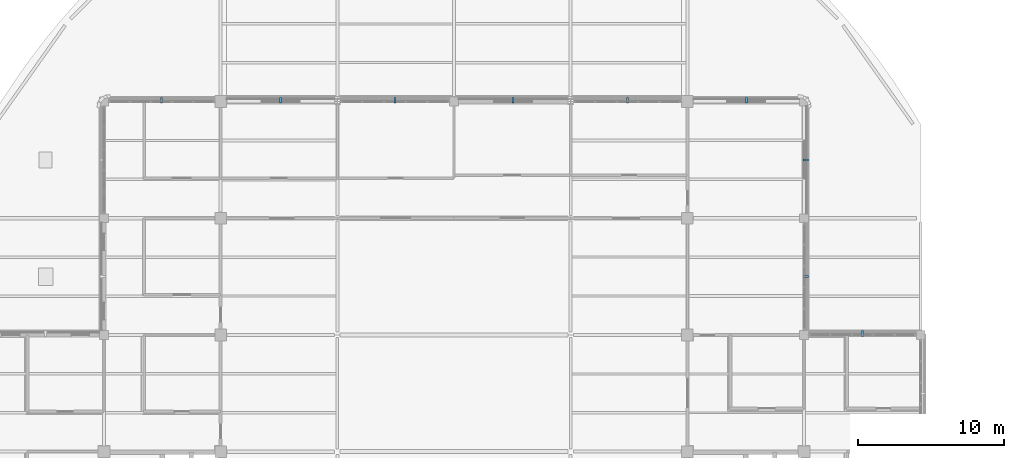
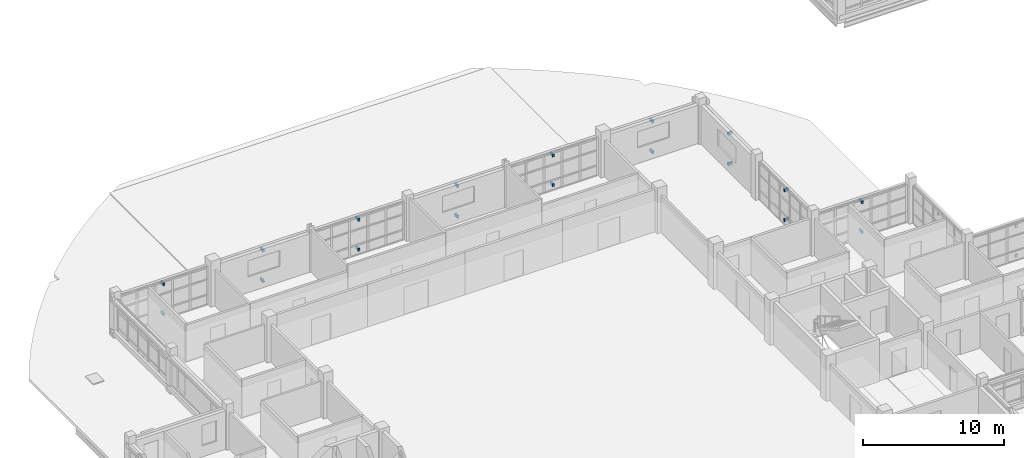
# One storey, part 110 of 126: 18 discrete accessories.
"""IFC4 building model written with IfcOpenShell, lengths in metres."""

import ifcopenshell
import ifcopenshell.guid

model = None  # the IFC model being written
_history = None  # IfcOwnerHistory: only IFC2X3 demands one
_inside = {}  # id of a spatial element -> (the spatial element, [elements in it])
_under = {}  # id of a project, library or spatial element -> (it, [spatial elements below it])
_declared = {}  # id of a project -> (the project, [libraries it declares])
_typed = {}  # id of a type object -> (the type object, [elements of that type])
_made_of = {}  # id of a material, layer set ... -> (it, [elements and type objects made of it])


def new_model(schema):
    """Start an empty IFC model of exactly this schema.

    Asked for "IFC4X3", IfcOpenShell would pick the latest addendum, in which some entities
    have other attributes; the version numbers below select the first issue.
    IFC2X3 requires an IfcOwnerHistory on every rooted entity: one is made here for all.
    """
    global model, _history
    if schema == "IFC4X3":
        model = ifcopenshell.file(schema_version=(4, 3, 0, 0))
    else:
        model = ifcopenshell.file(schema=schema)
    _inside.clear()
    _under.clear()
    _declared.clear()
    _typed.clear()
    _made_of.clear()
    _history = None
    if model.schema == "IFC2X3":
        org = make("IfcOrganization", Name="unknown")
        user = make(
            "IfcPersonAndOrganization",
            ThePerson=make("IfcPerson", FamilyName="unknown"),
            TheOrganization=org,
        )
        app = make(
            "IfcApplication",
            ApplicationDeveloper=org,
            Version="unknown",
            ApplicationFullName="unknown",
            ApplicationIdentifier="unknown",
        )
        _history = make(
            "IfcOwnerHistory",
            OwningUser=user,
            OwningApplication=app,
            ChangeAction="ADDED",
            CreationDate=0,
        )
    return model


def make(cls, **values):
    """One entity of the class cls with the attributes given. An attribute that is None is left unset."""
    return model.create_entity(
        cls, **{name: value for name, value in values.items() if value is not None}
    )


def rooted(cls, **values):
    """An entity with a GlobalId (a new one), such as an element, a storey or a relation."""
    return make(cls, GlobalId=ifcopenshell.guid.new(), OwnerHistory=_history, **values)


def si_unit(unit_type, name, prefix=None):
    """IfcSIUnit, for example si_unit("LENGTHUNIT", "METRE", prefix="MILLI")."""
    return make("IfcSIUnit", UnitType=unit_type, Prefix=prefix, Name=name)


def derived_unit(unit_type, elements):
    """IfcDerivedUnit: a product of units, each with its exponent."""
    return make(
        "IfcDerivedUnit",
        Elements=[
            make("IfcDerivedUnitElement", Unit=unit, Exponent=power)
            for unit, power in elements
        ],
        UnitType=unit_type,
    )


def assignment(units):
    """IfcUnitAssignment: the units of a project."""
    return None if units is None else make("IfcUnitAssignment", Units=units)


def point(xyz):
    """IfcCartesianPoint."""
    return None if xyz is None else make("IfcCartesianPoint", Coordinates=xyz)


def direction(xyz):
    """IfcDirection."""
    return None if xyz is None else make("IfcDirection", DirectionRatios=xyz)


def frame(location, z_axis=None, x_axis=None):
    """IfcAxis2Placement3D, a coordinate frame: its origin and axes. An axis left out is left unset."""
    return make(
        "IfcAxis2Placement3D",
        Location=point(location),
        Axis=direction(z_axis),
        RefDirection=direction(x_axis),
    )


def frame_2d(location, x_axis=None):
    """IfcAxis2Placement2D, a coordinate frame in the plane: its origin and x axis."""
    return make(
        "IfcAxis2Placement2D", Location=point(location), RefDirection=direction(x_axis)
    )


def origin():
    """The frame at (0, 0, 0) with its axes left unset."""
    return frame((0.0, 0.0, 0.0))


def origin_2d():
    """The frame at (0, 0) in the plane with its x axis left unset."""
    return frame_2d((0.0, 0.0))


def place(relative_to, where):
    """IfcLocalPlacement: puts the frame where relative to a parent placement (None: the world)."""
    return make(
        "IfcLocalPlacement", PlacementRelTo=relative_to, RelativePlacement=where
    )


def context(
    kind, dimensions, precision=None, world=None, true_north=None, identifier=None
):
    """IfcGeometricRepresentationContext, for example the 3D "Model" context."""
    return make(
        "IfcGeometricRepresentationContext",
        ContextIdentifier=identifier,
        ContextType=kind,
        CoordinateSpaceDimension=dimensions,
        Precision=precision,
        WorldCoordinateSystem=world,
        TrueNorth=true_north,
    )


def subcontext(parent, identifier, kind, view, scale=None):
    """IfcGeometricRepresentationSubContext, for example "Body" below "Model"."""
    return make(
        "IfcGeometricRepresentationSubContext",
        ContextIdentifier=identifier,
        ContextType=kind,
        ParentContext=parent,
        TargetScale=scale,
        TargetView=view,
    )


def project(units=None, contexts=None):
    """IfcProject with its units and contexts."""
    return rooted(
        "IfcProject",
        Name="project",
        RepresentationContexts=contexts,
        UnitsInContext=assignment(units),
    )


def spatial(cls, under=None, at=None, **own):
    """A site, building, storey or space (cls), placed at a placement, below another one or the project."""
    s = rooted(cls, ObjectPlacement=at, **own)
    if under is not None:
        _under.setdefault(under.id(), (under, []))[1].append(s)
    return s


def profile(cls, at=None, kind="AREA", **sizes):
    """A parametric profile (cls). Its sizes go by their IFC names, for example OverallWidth=200.0."""
    return make(cls, ProfileType=kind, Position=at, **sizes)


def rectangle(**sizes):
    """IfcRectangleProfileDef."""
    return profile("IfcRectangleProfileDef", **sizes)


def extrude(swept, where, along, depth):
    """IfcExtrudedAreaSolid: the profile swept, set in the frame where, extruded along a direction by depth."""
    return make(
        "IfcExtrudedAreaSolid",
        SweptArea=swept,
        Position=where,
        ExtrudedDirection=direction(along),
        Depth=depth,
    )


def shape(context_of_items, identifier, shape_type, items):
    """IfcShapeRepresentation: the items that make up one representation, for example the "Body"."""
    return make(
        "IfcShapeRepresentation",
        ContextOfItems=context_of_items,
        RepresentationIdentifier=identifier,
        RepresentationType=shape_type,
        Items=items,
    )


def material(Name=None, Category=None):
    """IfcMaterial."""
    return make("IfcMaterial", Name=Name, Category=Category)


def made_of(thing, what):
    """Note that an element or type object is made of a material, layer set ...; save() writes the relation."""
    if what is not None:
        _made_of.setdefault(what.id(), (what, []))[1].append(thing)
    return thing


def type_object(cls, material=None, **own):
    """A type object (cls), such as IfcWallType, which elements share."""
    return made_of(rooted(cls, **own), material)


def element(
    cls,
    number,
    at=None,
    inside=None,
    cuts=None,
    type_object=None,
    material=None,
    context=None,
    identifier="Body",
    shape_type=None,
    held_by="IfcProductDefinitionShape",
    body=None,
    shapes=None,
    **own,
):
    """One element of the class cls, such as IfcWall. Its Tag is "e" and its number.

    at: its placement. inside: the storey or other place that contains it. cuts: it is an
    opening in that element (IfcRelVoidsElement). A single representation is given by context,
    identifier, shape_type and body (its items); several are given by shapes. held_by: the class
    of the entity that holds the representations. save() writes the other relations.
    """
    e = rooted(cls, Tag="e%d" % number, ObjectPlacement=at, **own)
    if body is not None:
        shapes = [shape(context, identifier, shape_type, body)]
    if shapes is not None:
        e.Representation = make(held_by, Representations=shapes)
    if inside is not None:
        _inside.setdefault(inside.id(), (inside, []))[1].append(e)
    if cuts is not None:
        rooted(
            "IfcRelVoidsElement", RelatingBuildingElement=cuts, RelatedOpeningElement=e
        )
    if type_object is not None:
        _typed.setdefault(type_object.id(), (type_object, []))[1].append(e)
    return made_of(e, material)


def aggregate(whole, parts):
    """IfcRelAggregates: a whole, such as a stair, and the parts it consists of."""
    return rooted("IfcRelAggregates", RelatingObject=whole, RelatedObjects=parts)


def save(model, path):
    """Write the relations noted so far, then the file.

    IfcRelAggregates (storeys below a building ...), IfcRelContainedInSpatialStructure (elements
    in a storey), IfcRelDefinesByType, IfcRelAssociatesMaterial and IfcRelDeclares: one each for
    every whole, place, type object, material and project.
    """
    for whole, parts in _under.values():
        aggregate(whole, parts)
    for where, things in _inside.values():
        rooted(
            "IfcRelContainedInSpatialStructure",
            RelatedElements=things,
            RelatingStructure=where,
        )
    for kind, things in _typed.values():
        rooted("IfcRelDefinesByType", RelatedObjects=things, RelatingType=kind)
    for what, things in _made_of.values():
        rooted("IfcRelAssociatesMaterial", RelatedObjects=things, RelatingMaterial=what)
    for by, libraries in _declared.values():
        rooted("IfcRelDeclares", RelatingContext=by, RelatedDefinitions=libraries)
    model.write(path)


model = new_model("IFC4")

# Units and contexts
model_context = context("Model", 3, precision=1e-05, world=origin(), true_north=direction((0.0, 1.0)))
body_context = subcontext(model_context, "Body", "Model", "MODEL_VIEW")
ifc_project = project(units=[si_unit("LENGTHUNIT", "METRE"), si_unit("AREAUNIT", "SQUARE_METRE"), si_unit("VOLUMEUNIT", "CUBIC_METRE"), si_unit("PLANEANGLEUNIT", "RADIAN"), si_unit("MASSUNIT", "GRAM", prefix="KILO"), derived_unit("THERMALTRANSMITTANCEUNIT", [(si_unit("MASSUNIT", "GRAM", prefix="KILO"), 1), (si_unit("TIMEUNIT", "SECOND"), -3), (si_unit("THERMODYNAMICTEMPERATUREUNIT", "KELVIN"), -1)])], contexts=[model_context])

# Site, building, storey
site_placement = place(None, origin())
site = spatial("IfcSite", under=ifc_project, at=site_placement, CompositionType="ELEMENT")
building_placement = place(site_placement, origin())
building = spatial("IfcBuilding", under=site, at=building_placement, Name="Veyamyaing Civic Hall", CompositionType="ELEMENT")
storey_placement = place(building_placement, frame((0.0, 0.0, 9.89990234375)))
storey = spatial("IfcBuildingStorey", under=building, at=storey_placement, Name="L02", CompositionType="ELEMENT", Elevation=9.89990234375)

# Discrete accessories
ifc_material = material(Name="Steel S355J2", Category="steel")
discrete_accessory_type = type_object("IfcDiscreteAccessoryType", Name="BK-01", PredefinedType="BRACKET", material=ifc_material)
for number, where, z_axis, x_axis, name in (
    (1, (67.949951171875, 80.10009765625, 2.93994140625), (0.0, 0.0, 1.0), (0.0, 1.0, 0.0), "Sunshade anchor bracket BK-01 L02 N 9.10"),
    (2, (67.949951171875, 80.10009765625, 0.35986328125), (0.0, 0.0, 1.0), (0.0, 1.0, 0.0), "Lower ribbon anchor bracket BK-01 L02 N 9.10"),
    (3, (76.107177734375, 80.10009765625, 3.00390625), (0.0, 0.0, 1.0), (0.0, 1.0, 0.0), "Sunshade anchor bracket BK-01 L02 N 10.10"),
    (4, (76.107177734375, 80.10009765625, 0.35986328125), (0.0, 0.0, 1.0), (0.0, 1.0, 0.0), "Lower ribbon anchor bracket BK-01 L02 N 10.10"),
    (5, (83.94287109375, 80.10009765625, 2.9443359375), (0.0, 0.0, 1.0), (0.0, 1.0, 0.0), "Sunshade anchor bracket BK-01 L02 N 11.10"),
    (6, (83.94287109375, 80.10009765625, 0.35986328125), (0.0, 0.0, 1.0), (0.0, 1.0, 0.0), "Lower ribbon anchor bracket BK-01 L02 N 11.10"),
    (7, (92.05712890625, 80.10009765625, 3.00732421875), (0.0, 0.0, 1.0), (0.0, 1.0, 0.0), "Sunshade anchor bracket BK-01 L02 N 12.10"),
    (8, (92.05712890625, 80.10009765625, 0.35986328125), (0.0, 0.0, 1.0), (0.0, 1.0, 0.0), "Lower ribbon anchor bracket BK-01 L02 N 12.10"),
    (9, (99.892822265625, 80.10009765625, 2.93994140625), (0.0, 0.0, 1.0), (0.0, 1.0, 0.0), "Sunshade anchor bracket BK-01 L02 N 13.10"),
    (10, (99.892822265625, 80.10009765625, 0.35986328125), (0.0, 0.0, 1.0), (0.0, 1.0, 0.0), "Lower ribbon anchor bracket BK-01 L02 N 13.10"),
    (11, (112.10009765625, 68.0, 2.93994140625), (0.0, 0.0, 1.0), (1.0, 0.0, 0.0), "Sunshade anchor bracket BK-01 L02 E 14.9"),
    (12, (112.10009765625, 68.0, 0.35986328125), (0.0, 0.0, 1.0), (1.0, 0.0, 0.0), "Lower ribbon anchor bracket BK-01 L02 E 14.9"),
    (13, (108.050048828125, 80.10009765625, 3.00390625), (0.0, 0.0, 1.0), (0.0, 1.0, 0.0), "Sunshade anchor bracket BK-01 L02 N 14.10"),
    (14, (108.050048828125, 80.10009765625, 0.35986328125), (0.0, 0.0, 1.0), (0.0, 1.0, 0.0), "Lower ribbon anchor bracket BK-01 L02 N 14.10"),
    (15, (112.10009765625, 76.0, 3.00390625), (0.0, 0.0, 1.0), (1.0, 0.0, 0.0), "Sunshade anchor bracket BK-01 L02 E 14.10"),
    (16, (112.10009765625, 76.0, 0.35986328125), (0.0, 0.0, 1.0), (1.0, 0.0, 0.0), "Lower ribbon anchor bracket BK-01 L02 E 14.10"),
    (17, (116.0, 64.10009765625, 2.93994140625), (0.0, 0.0, 1.0), (0.0, 1.0, 0.0), "Sunshade anchor bracket BK-01 L02 N 15.8"),
    (18, (116.0, 64.10009765625, 0.35986328125), (0.0, 0.0, 1.0), (0.0, 1.0, 0.0), "Lower ribbon anchor bracket BK-01 L02 N 15.8"),
):
    element("IfcDiscreteAccessory", number, at=place(storey_placement, frame(where, z_axis=z_axis, x_axis=x_axis)), inside=storey, type_object=discrete_accessory_type, Name=name, PredefinedType="BRACKET", context=body_context, shape_type="SweptSolid", body=[
        extrude(rectangle(XDim=0.3798828125, YDim=0.139892578125, at=origin_2d()), origin(), (0.0, 0.0, 1.0), 0.239990234375),
    ])

save(model, "model.ifc")
